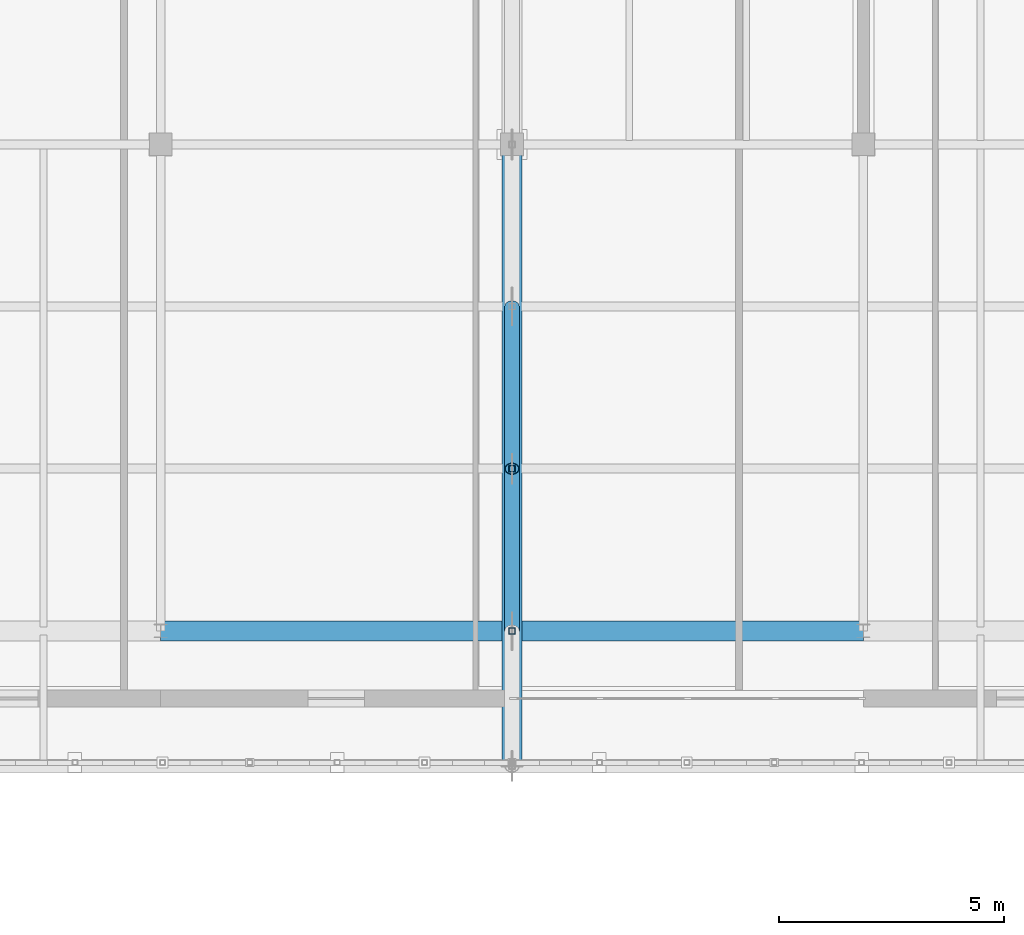
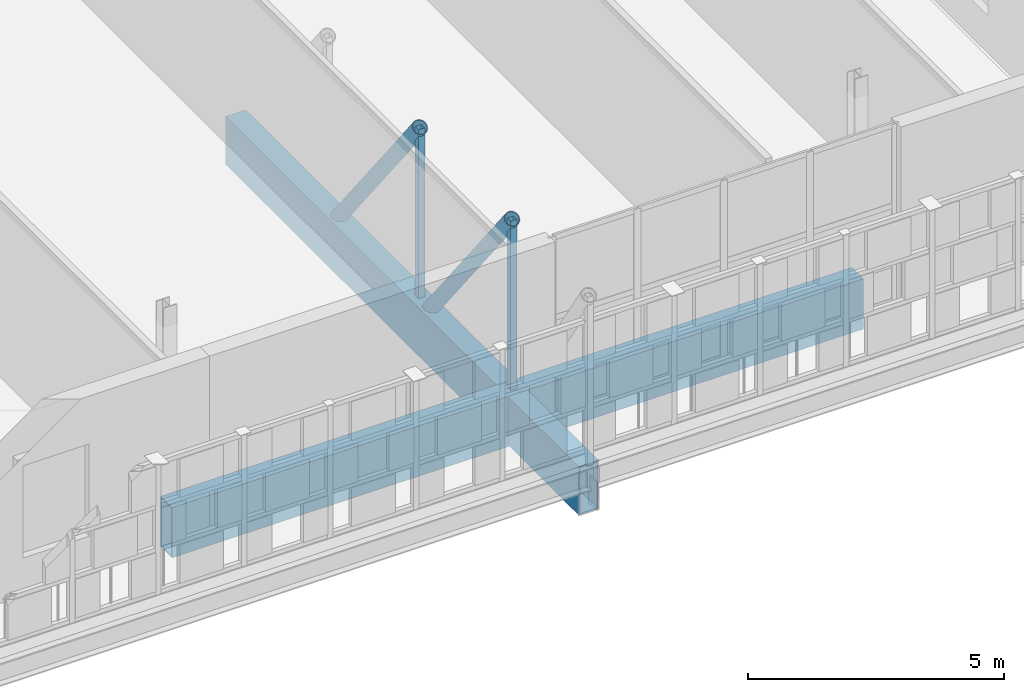
# One storey, part 25 of 89: 4 members, 2 beams.
"""IFC4 building model written with IfcOpenShell, lengths in metres."""

from ifc_helpers import new_model, si_unit, direction, frame, origin, origin_2d, place, context, subcontext, project, spatial, hollow_rectangle, hollow_circle, extrude, material, material_profile, profile_set, type_object, element, save


model = new_model("IFC4")

# Units and contexts
model_context = context("Model", 3, precision=1e-05, world=origin(), true_north=direction((0.0, 1.0)))
body_context = subcontext(model_context, "Body", "Model", "MODEL_VIEW")
ifc_project = project(units=[si_unit("LENGTHUNIT", "METRE"), si_unit("AREAUNIT", "SQUARE_METRE"), si_unit("VOLUMEUNIT", "CUBIC_METRE"), si_unit("PLANEANGLEUNIT", "RADIAN"), si_unit("MASSUNIT", "GRAM", prefix="KILO")], contexts=[model_context])

# Site, building, storey
site_placement = place(None, origin())
site = spatial("IfcSite", under=ifc_project, at=site_placement, CompositionType="ELEMENT")
building_placement = place(site_placement, origin())
building = spatial("IfcBuilding", under=site, at=building_placement, Name="Celorna Specialist Clinic", CompositionType="ELEMENT")
storey_placement = place(building_placement, frame((0.0, 0.0, 14.10009765625)))
storey = spatial("IfcBuildingStorey", under=building, at=storey_placement, Name="L03", CompositionType="ELEMENT", Elevation=14.10009765625)

# Beams
ifc_material = material(Name="Steel S355", Category="steel")
ifc_material_profile_1 = material_profile(ifc_material, hollow_rectangle(XDim=0.449951171875, YDim=1.14990234375, WallThickness=0.031982421875, at=origin_2d()), Name="BOX 450x1150x32")
ifc_profile_set_1 = profile_set([ifc_material_profile_1], Name="Steel S355")
beam_type_1 = type_object("IfcBeamType", Name="BM-01", PredefinedType="BEAM", material=ifc_profile_set_1)
beam_1_placement = place(storey_placement, frame((70.199951171875, 5.699951171875, -0.835205078125), z_axis=(0.0, 1.0, 0.0), x_axis=(-1.0, 0.0, 0.0)))
element("IfcBeam", 1, at=beam_1_placement, inside=storey, type_object=beam_type_1, Name="Cantilever Pratt truss chord WP-039-WP-040", PredefinedType="BEAM", context=body_context, shape_type="SweptSolid", body=[
    extrude(hollow_rectangle(XDim=0.449951171875, YDim=1.14990234375, WallThickness=0.031982421875, at=origin_2d()), origin(), (0.0, 0.0, 1.0), 13.800048828125),
])
ifc_material_profile_2 = material_profile(ifc_material, hollow_rectangle(XDim=0.449951171875, YDim=1.199951171875, WallThickness=0.031982421875, at=origin_2d()), Name="BOX 450x1200x32")
ifc_profile_set_2 = profile_set([ifc_material_profile_2], Name="Steel S355")
beam_type_2 = type_object("IfcBeamType", Name="BM-02", PredefinedType="BEAM", material=ifc_profile_set_2)
beam_2_placement = place(storey_placement, frame((62.39990234375, 8.699951171875, -0.860107421875), z_axis=(1.0, 0.0, 0.0), x_axis=(0.0, 1.0, 0.0)))
element("IfcBeam", 2, at=beam_2_placement, inside=storey, type_object=beam_type_2, Name="Portico transfer box girder BM-02 #13", PredefinedType="BEAM", context=body_context, shape_type="SweptSolid", body=[
    extrude(hollow_rectangle(XDim=0.449951171875, YDim=1.199951171875, WallThickness=0.031982421875, at=origin_2d()), origin(), (0.0, 0.0, 1.0), 15.60009765625),
])

# Members
ifc_material_profile_3 = material_profile(ifc_material, hollow_circle(Radius=0.161865234375, WallThickness=0.01611328125, at=origin_2d()), Name="CHS 323.9x16")
ifc_profile_set_3 = profile_set([ifc_material_profile_3], Name="Steel S355")
member_type_1 = type_object("IfcMemberType", Name="MB-05", PredefinedType="BRACE", material=ifc_profile_set_3)
for number, where, z_axis, x_axis, name in (
    (3, (70.199951171875, 8.699951171875, 3.764892578125), (0.0, 0.616310515553, -0.787503237085), (-1.0, 0.0, 0.0), "Cantilever Pratt truss web diagonal WP-059-WP-052"),
    (4, (70.199951171875, 12.300048828125, 3.764892578125), (0.0, 0.616284594847, -0.787523522286), (-1.0, 0.0, 0.0), "Cantilever Pratt truss web diagonal WP-060-WP-054"),
):
    element("IfcMember", number, at=place(storey_placement, frame(where, z_axis=z_axis, x_axis=x_axis)), inside=storey, type_object=member_type_1, Name=name, PredefinedType="BRACE", context=body_context, shape_type="SweptSolid", body=[
        extrude(hollow_circle(Radius=0.161865234375, WallThickness=0.01611328125, at=origin_2d()), origin(), (0.0, 0.0, 1.0), 5.84130859375),
    ])
ifc_material_profile_4 = material_profile(ifc_material, hollow_rectangle(XDim=0.139892578125, YDim=0.139892578125, WallThickness=0.008056640625, at=origin_2d()), Name="SHS 140x140x8")
ifc_profile_set_4 = profile_set([ifc_material_profile_4], Name="Steel S355")
member_type_2 = type_object("IfcMemberType", Name="MB-10", PredefinedType="CHORD", material=ifc_profile_set_4)
for number, where, z_axis, x_axis, name in (
    (5, (70.199951171875, 8.699951171875, -0.835205078125), (0.0, 0.0, 1.0), (1.0, 0.0, 0.0), "Cantilever Pratt truss vertical post WP-050-WP-059"),
    (6, (70.199951171875, 12.300048828125, -0.835205078125), (0.0, 0.0, 1.0), (1.0, 0.0, 0.0), "Cantilever Pratt truss vertical post WP-052-WP-060"),
):
    element("IfcMember", number, at=place(storey_placement, frame(where, z_axis=z_axis, x_axis=x_axis)), inside=storey, type_object=member_type_2, Name=name, PredefinedType="CHORD", context=body_context, shape_type="SweptSolid", body=[
        extrude(hollow_rectangle(XDim=0.139892578125, YDim=0.139892578125, WallThickness=0.008056640625, at=origin_2d()), origin(), (0.0, 0.0, 1.0), 4.60009765625),
    ])

save(model, "model.ifc")
